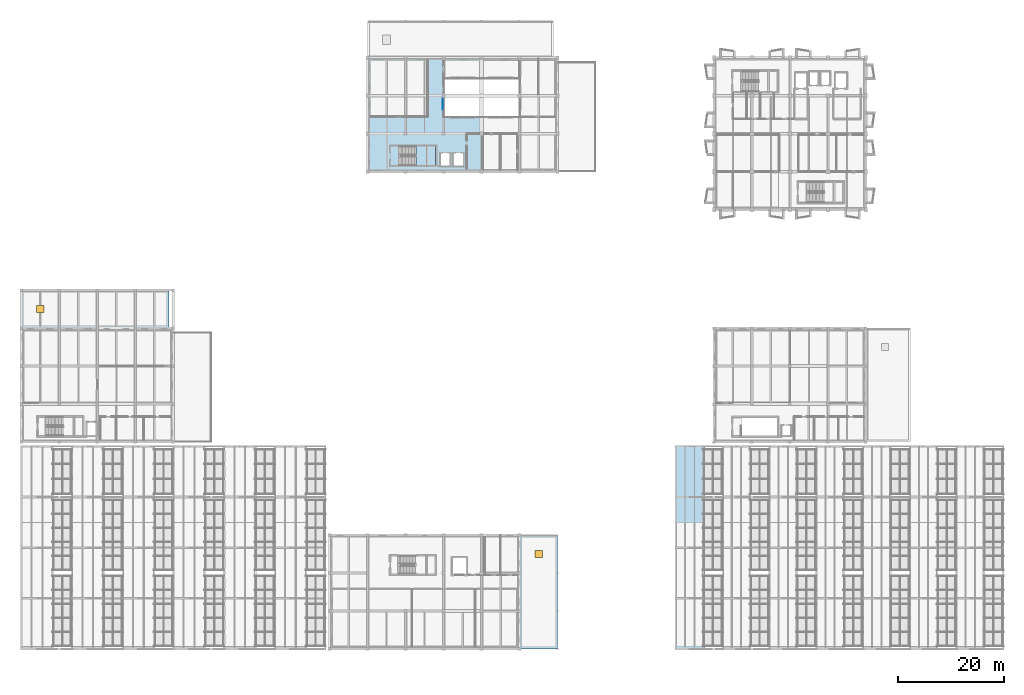
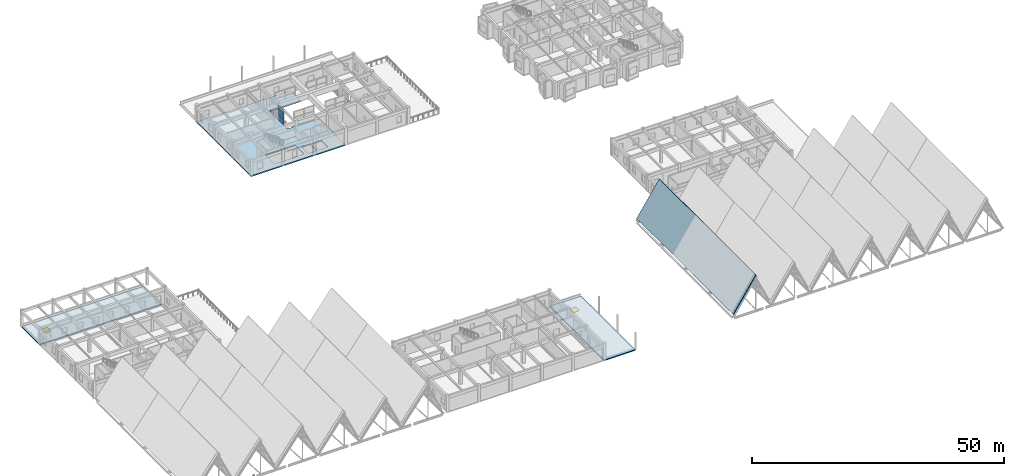
# One storey, part 67 of 99: 5 slabs, 3 plates, 2 windows, 2 openings, 2 elements without a shape of their own.
"""IFC4 building model written with IfcOpenShell, lengths in metres."""

from ifc_helpers import new_model, si_unit, direction, frame, origin, origin_2d, place, context, subcontext, project, spatial, polyline, rectangle, outline, extrude, material, layer, layer_set, type_object, element, fill, aggregate, save


model = new_model("IFC4")

# Units and contexts
model_context = context("Model", 3, precision=1e-05, world=origin(), true_north=direction((0.0, 1.0)))
body_context = subcontext(model_context, "Body", "Model", "MODEL_VIEW")
ifc_project = project(units=[si_unit("LENGTHUNIT", "METRE"), si_unit("AREAUNIT", "SQUARE_METRE"), si_unit("VOLUMEUNIT", "CUBIC_METRE"), si_unit("PLANEANGLEUNIT", "RADIAN"), si_unit("MASSUNIT", "GRAM", prefix="KILO")], contexts=[model_context])

# Site, building, storey
site_placement = place(None, origin())
site = spatial("IfcSite", under=ifc_project, at=site_placement, CompositionType="ELEMENT")
building_placement = place(site_placement, origin())
building = spatial("IfcBuilding", under=site, at=building_placement, Name="Bramveld Media Centre", CompositionType="ELEMENT")
storey_placement = place(building_placement, frame((0.0, 0.0, 13.800048828125)))
storey = spatial("IfcBuildingStorey", under=building, at=storey_placement, Name="L03", CompositionType="ELEMENT", Elevation=13.800048828125)

# Curtain wall, plates
ifc_material_1 = material(Name="Thermally broken anodized bronze aluminium unitized curtain wall with solar-control triple glazing", Category="aluminium")
curtain_wall_type = type_object("IfcCurtainWallType", Name="CW-ATR-2200x3840", PredefinedType="NOTDEFINED", material=ifc_material_1)
curtain_wall_placement = place(storey_placement, origin())
curtain_wall = element("IfcCurtainWall", 1, at=curtain_wall_placement, inside=storey, type_object=curtain_wall_type, Name="V6 L03 atrium acoustic screen W-1", PredefinedType="NOTDEFINED")
ifc_material_2 = material(Name="Laminated acoustic safety glass panel", Category="glass")
ifc_layer_1 = layer(ifc_material_2, 0.028076171875)
ifc_layer_set_1 = layer_set([ifc_layer_1], Name="Laminated acoustic safety glass panel")
plate_type = type_object("IfcPlateType", Name="CW-PAN-INT", PredefinedType="CURTAIN_PANEL", material=ifc_layer_set_1)
plate_1_placement = place(storey_placement, frame((79.85009765625, 103.14990234375, 0.059814453125), z_axis=(0.0, 0.0, 1.0), x_axis=(0.0, 1.0, 0.0)))
plate_1 = element("IfcPlate", 2, at=plate_1_placement, type_object=plate_type, Name="CW-AT-2238 panel 1.1", PredefinedType="CURTAIN_PANEL", context=body_context, shape_type="SweptSolid", body=[
    extrude(rectangle(XDim=2.080078125, YDim=0.028076171875, at=origin_2d()), origin(), (0.0, 0.0, 1.0), 1.06005859375),
])
plate_2_placement = place(storey_placement, frame((79.85009765625, 103.14990234375, 1.179931640625), z_axis=(0.0, 0.0, 1.0), x_axis=(0.0, 1.0, 0.0)))
plate_2 = element("IfcPlate", 3, at=plate_2_placement, type_object=plate_type, Name="CW-AT-2238 panel 1.2", PredefinedType="CURTAIN_PANEL", context=body_context, shape_type="SweptSolid", body=[
    extrude(rectangle(XDim=2.080078125, YDim=0.028076171875, at=origin_2d()), origin(), (0.0, 0.0, 1.0), 1.1708984375),
])
plate_3_placement = place(storey_placement, frame((79.85009765625, 103.14990234375, 2.4111328125), z_axis=(0.0, 0.0, 1.0), x_axis=(0.0, 1.0, 0.0)))
plate_3 = element("IfcPlate", 4, at=plate_3_placement, type_object=plate_type, Name="CW-AT-2238 panel 1.3", PredefinedType="CURTAIN_PANEL", context=body_context, shape_type="SweptSolid", body=[
    extrude(rectangle(XDim=2.080078125, YDim=0.028076171875, at=origin_2d()), origin(), (0.0, 0.0, 1.0), 1.368896484375),
])
aggregate(curtain_wall, [plate_1, plate_2, plate_3])

# Slab
ifc_material_3 = material(Name="Precast concrete C40/50", Category="concrete")
ifc_layer_2 = layer(ifc_material_3, 0.2099609375)
ifc_layer_set_2 = layer_set([ifc_layer_2], Name="Precast concrete C40/50")
slab_type_1 = type_object("IfcSlabType", Name="ROOF-SLAB-210-01", PredefinedType="ROOF", material=ifc_layer_set_2)
slab_1_placement = place(storey_placement, frame((124.0, 0.0, 0.6796875), z_axis=(-0.831068529112, 0.0, 0.556170027887), x_axis=(0.556170027887, 0.0, 0.831068529112)))
element("IfcSlab", 5, at=slab_1_placement, inside=storey, type_object=slab_type_1, Name="V1 sawtooth acoustic roof slab bay 1", PredefinedType="ROOF", context=body_context, shape_type="SweptSolid", body=[
    extrude(outline(polyline([(0.0, 0.0), (9.385566358116995, 0.0), (9.385566358116995, 38.39990234375), (0.0, 38.39990234375), (0.0, 0.0)])), origin(), (0.0, 0.0, -1.0), 0.2099609375),
])

# Slab, opening, window
ifc_material_4 = material(Name="Concrete C40/50", Category="concrete")
ifc_layer_3 = layer(ifc_material_4, 0.239990234375)
ifc_layer_set_3 = layer_set([ifc_layer_3], Name="Concrete C40/50")
slab_type_2 = type_object("IfcSlabType", Name="ROOF-SLAB-240-02", PredefinedType="ROOF", material=ifc_layer_set_3)
slab_2_placement = place(storey_placement, frame((0.0, 0.0, -0.239990234375)))
slab_2 = element("IfcSlab", 6, at=slab_2_placement, inside=storey, type_object=slab_type_2, Name="V3 L03 flat roof slab", PredefinedType="ROOF", context=body_context, shape_type="SweptSolid", body=[
    extrude(outline(polyline([(0.0, 60.800048828125), (28.0, 60.800048828125), (28.0, 68.0), (0.0, 68.0), (0.0, 60.800048828125)])), origin(), (0.0, 0.0, 1.0), 0.239990234375),
])
opening_1_placement = place(slab_2_placement, frame((3.60009765625, 64.39990234375, 0.0)))
opening_1 = element("IfcOpeningElement", 7, at=opening_1_placement, cuts=slab_2, Name="Opening SK-02", PredefinedType="OPENING", context=body_context, shape_type="SweptSolid", body=[
    extrude(rectangle(XDim=1.39990234375, YDim=1.39990234375, at=origin_2d()), origin(), (0.0, 0.0, 1.0), 0.239990234375),
])
ifc_material_5 = material(Name="Insulated aluminium smoke-ventilation & maintenance roof skylight hatch", Category="aluminium")
window_type = type_object("IfcWindowType", Name="SKY-HATCH-02", PartitioningType="SINGLE_PANEL", PredefinedType="SKYLIGHT", material=ifc_material_5)
window_1_placement = place(opening_1_placement, frame((0.0, 0.0, 0.18994140625)))
window_1 = element("IfcWindow", 8, at=window_1_placement, inside=storey, type_object=window_type, Name="Roof maintenance & smoke-vent skylight hatch 1", OverallHeight=1.39990234375, OverallWidth=1.39990234375, PartitioningType="SINGLE_PANEL", PredefinedType="SKYLIGHT", context=body_context, shape_type="SweptSolid", body=[
    extrude(rectangle(XDim=1.39990234375, YDim=1.39990234375, at=origin_2d()), origin(), (0.0, 0.0, 1.0), 0.050048828125),
])
fill(opening_1, window_1)

ifc_material_6 = material(Name="Concrete C40/50", Category="concrete")
ifc_layer_4 = layer(ifc_material_6, 0.2451171875)
ifc_layer_set_4 = layer_set([ifc_layer_4], Name="Concrete C40/50")
slab_type_3 = type_object("IfcSlabType", Name="ROOF-SLAB-245-08", PredefinedType="ROOF", material=ifc_layer_set_4)
slab_3_placement = place(storey_placement, frame((0.0, 0.0, -0.2451171875)))
slab_3 = element("IfcSlab", 9, at=slab_3_placement, inside=storey, type_object=slab_type_3, Name="V5 L03 flat roof slab", PredefinedType="ROOF", context=body_context, shape_type="SweptSolid", body=[
    extrude(outline(polyline([(94.39990234375, 0.0), (101.60009765625, 0.0), (101.60009765625, 21.60009765625), (94.39990234375, 21.60009765625), (94.39990234375, 0.0)])), origin(), (0.0, 0.0, 1.0), 0.2451171875),
])
opening_2_placement = place(slab_3_placement, frame((98.0, 18.0, 0.0)))
opening_2 = element("IfcOpeningElement", 10, at=opening_2_placement, cuts=slab_3, Name="Opening SK-02", PredefinedType="OPENING", context=body_context, shape_type="SweptSolid", body=[
    extrude(rectangle(XDim=1.39990234375, YDim=1.39990234375, at=origin_2d()), origin(), (0.0, 0.0, 1.0), 0.2451171875),
])
window_2_placement = place(opening_2_placement, frame((0.0, 0.0, 0.195068359375)))
window_2 = element("IfcWindow", 11, at=window_2_placement, inside=storey, type_object=window_type, Name="Roof maintenance & smoke-vent skylight hatch 7", OverallHeight=1.39990234375, OverallWidth=1.39990234375, PartitioningType="SINGLE_PANEL", PredefinedType="SKYLIGHT", context=body_context, shape_type="SweptSolid", body=[
    extrude(rectangle(XDim=1.39990234375, YDim=1.39990234375, at=origin_2d()), origin(), (0.0, 0.0, 1.0), 0.050048828125),
])
fill(opening_2, window_2)

# Slab
ifc_material_7 = material(Name="Concrete C40/50", Category="concrete")
ifc_layer_5 = layer(ifc_material_7, 0.280029296875)
ifc_layer_set_5 = layer_set([ifc_layer_5], Name="Concrete C40/50")
slab_type_4 = type_object("IfcSlabType", Name="SLAB-FLOOR-INT-280", PredefinedType="FLOOR", material=ifc_layer_set_5)
slab_4_placement = place(storey_placement, frame((0.0, 0.0, -0.280029296875)))
element("IfcSlab", 12, at=slab_4_placement, inside=storey, type_object=slab_type_4, Name="V6 L03 structural slab 1", PredefinedType="FLOOR", context=body_context, shape_type="SweptSolid", body=[
    extrude(outline(polyline([(65.60009765625, 112.0), (87.199951171875, 112.0), (87.199951171875, 108.0), (80.0, 108.0), (80.0, 100.800048828125), (87.199951171875, 100.800048828125), (87.199951171875, 90.39990234375), (65.60009765625, 90.39990234375), (65.60009765625, 112.0)]), holes=[polyline([(79.300048828125, 91.39990234375), (81.300048828125, 91.39990234375), (81.300048828125, 94.0), (79.300048828125, 94.0), (79.300048828125, 91.39990234375)]), polyline([(81.800048828125, 91.39990234375), (83.800048828125, 91.39990234375), (83.800048828125, 94.0), (81.800048828125, 94.0), (81.800048828125, 91.39990234375)]), polyline([(71.699951171875, 95.25), (71.699951171875, 91.60009765625), (78.5, 91.60009765625), (78.5, 95.25), (71.699951171875, 95.25)])]), origin(), (0.0, 0.0, 1.0), 0.280029296875),
])

# Stair, slab
ifc_material_8 = material(Name="Concrete C40/50", Category="concrete")
stair_type = type_object("IfcStairType", Name="STAIR-ST-07-24R-1700", PredefinedType="HALF_TURN_STAIR", material=ifc_material_8)
stair_placement = place(storey_placement, origin())
stair = element("IfcStair", 13, at=stair_placement, inside=storey, type_object=stair_type, Name="L03 Exhibition & Sound Lab Primary Stair", PredefinedType="HALF_TURN_STAIR")
ifc_material_9 = material(Name="Concrete C40/50", Category="concrete")
ifc_layer_6 = layer(ifc_material_9, 0.199951171875)
ifc_layer_set_6 = layer_set([ifc_layer_6], Name="Concrete C40/50")
slab_type_5 = type_object("IfcSlabType", Name="SLAB-STAIR-LAND-200", PredefinedType="LANDING", material=ifc_layer_set_6)
slab_5_placement = place(storey_placement, frame((0.0, 0.0, 1.89990234375)))
slab_5 = element("IfcSlab", 14, at=slab_5_placement, type_object=slab_type_5, Name="ST-07 landing 1", PredefinedType="LANDING", context=body_context, shape_type="SweptSolid", body=[
    extrude(outline(polyline([(74.780029296875, 91.60009765625), (78.5, 91.60009765625), (78.5, 95.25), (74.780029296875, 95.25), (74.780029296875, 91.60009765625)])), origin(), (0.0, 0.0, 1.0), 0.199951171875),
])
aggregate(stair, [slab_5])

save(model, "model.ifc")
